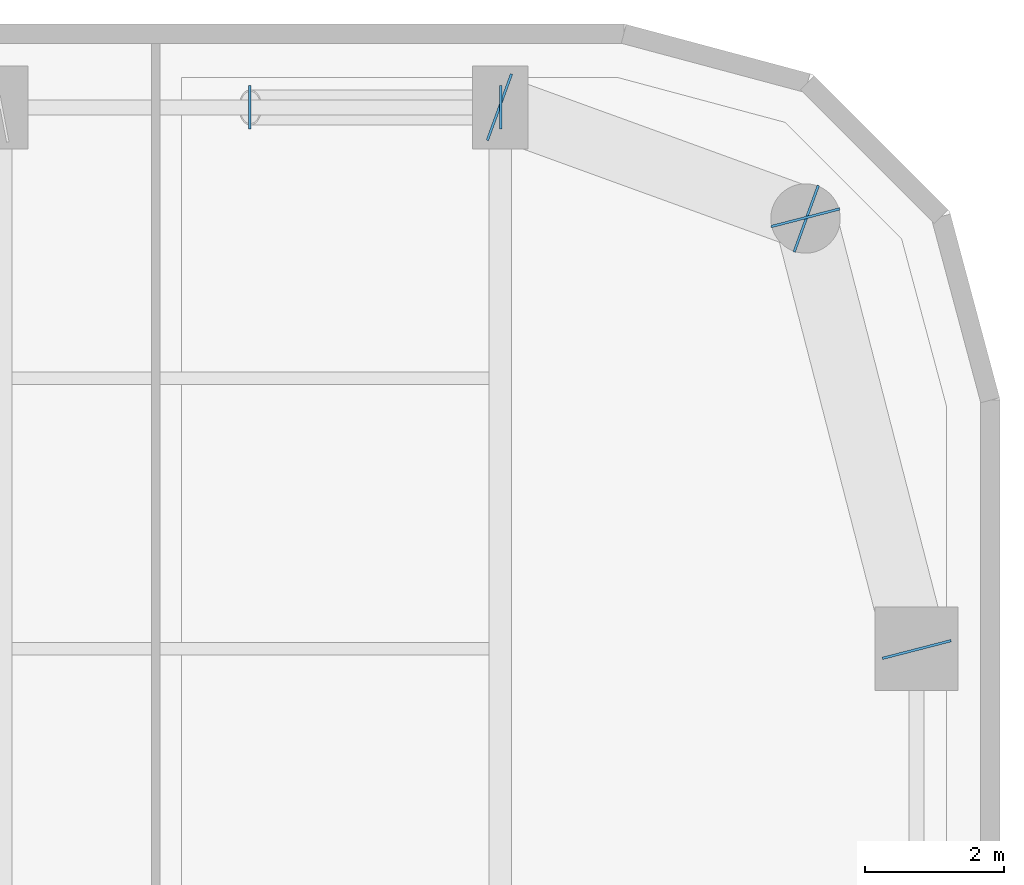
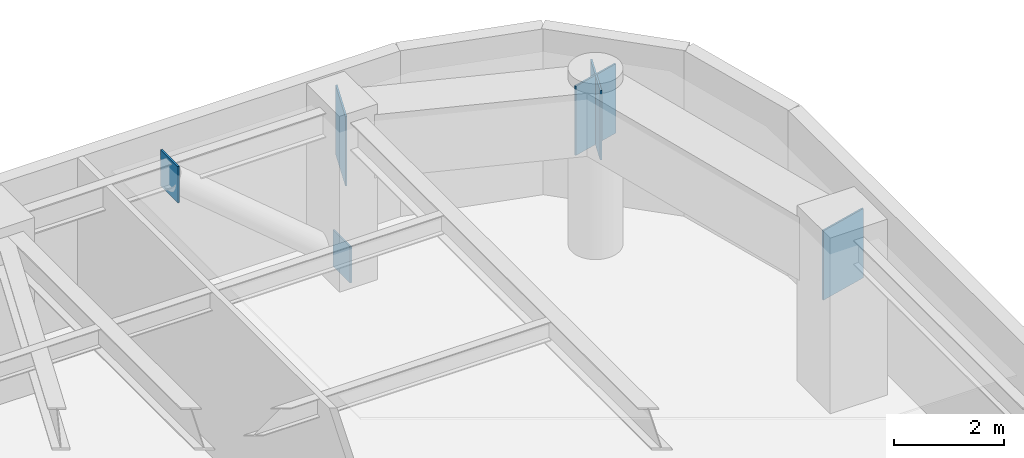
# One storey, part 23 of 30: 6 plates.
"""IFC4 building model written with IfcOpenShell, lengths in metres."""

from ifc_helpers import new_model, si_unit, direction, frame, origin, origin_2d, place, context, subcontext, project, spatial, rectangle, extrude, material, layer, layer_set, type_object, element, save


model = new_model("IFC4")

# Units and contexts
model_context = context("Model", 3, precision=1e-05, world=origin(), true_north=direction((0.0, 1.0)))
body_context = subcontext(model_context, "Body", "Model", "MODEL_VIEW")
ifc_project = project(units=[si_unit("LENGTHUNIT", "METRE"), si_unit("AREAUNIT", "SQUARE_METRE"), si_unit("VOLUMEUNIT", "CUBIC_METRE"), si_unit("PLANEANGLEUNIT", "RADIAN"), si_unit("MASSUNIT", "GRAM", prefix="KILO")], contexts=[model_context])

# Site, building, storey
site_placement = place(None, origin())
site = spatial("IfcSite", under=ifc_project, at=site_placement, CompositionType="ELEMENT")
building_placement = place(site_placement, origin())
building = spatial("IfcBuilding", under=site, at=building_placement, Name="Kiyonajd Concourse Tower", CompositionType="ELEMENT")
storey_placement = place(building_placement, frame((0.0, 0.0, 174.0)))
storey = spatial("IfcBuildingStorey", under=building, at=storey_placement, Name="L44", CompositionType="ELEMENT", Elevation=174.0)

# Plates
ifc_material = material(Name="Steel ASTM A572 Grade 50", Category="steel")
ifc_layer_1 = layer(ifc_material, 0.028076171875)
ifc_layer_set_1 = layer_set([ifc_layer_1], Name="Steel ASTM A572 Grade 50")
plate_type_1 = type_object("IfcPlateType", Name="PL-CAP-450", PredefinedType="USERDEFINED", material=ifc_layer_set_1)
for number, where, z_axis, x_axis, name in (
    (1, (63.6083984375, 61.199951171875, -0.10888671875), (0.0, 0.0, 1.0), (1.0, 0.0, 0.0), "L44 Hollow Brace End Cap Plate PBN"),
    (2, (59.99169921875, 61.199951171875, 2.93505859375), (0.0, 0.0, 1.0), (-1.0, 0.0, 0.0), "L44 Hollow Brace Top Cap Plate PBN"),
):
    element("IfcPlate", number, at=place(storey_placement, frame(where, z_axis=z_axis, x_axis=x_axis)), inside=storey, type_object=plate_type_1, Name=name, ObjectType="CAP PLATE", PredefinedType="USERDEFINED", context=body_context, shape_type="SweptSolid", body=[
        extrude(rectangle(XDim=0.035888671875, YDim=0.6279296875, at=origin_2d()), origin(), (0.0, 0.0, 1.0), 0.803955078125),
    ])
ifc_layer_2 = layer(ifc_material, 0.031982421875)
ifc_layer_set_2 = layer_set([ifc_layer_2], Name="Steel ASTM A572 Grade 50")
plate_type_2 = type_object("IfcPlateType", Name="PL-CAP-540", PredefinedType="USERDEFINED", material=ifc_layer_set_2)
for number, where, z_axis, x_axis, name in (
    (3, (69.602783203125, 53.389404296875, 2.2099609375), (0.0, 0.0, 1.0), (0.249873048837, -0.968278606324, 0.0), "L44 Welded Box Girder End Cap"),
    (4, (67.997314453125, 59.610595703125, 2.2099609375), (0.0, 0.0, 1.0), (-0.249873048837, 0.968278606324, 0.0), "L44 Welded Box Girder End Cap"),
    (5, (68.01025390625, 59.59619140625, 2.2099609375), (0.0, 0.0, 1.0), (0.939811951086, -0.341692107891, 0.0), "L44 Welded Box Girder End Cap"),
    (6, (63.589599609375, 61.203857421875, 2.2099609375), (0.0, 0.0, 1.0), (-0.939811951086, 0.341692107891, 0.0), "L44 Welded Box Girder End Cap"),
):
    element("IfcPlate", number, at=place(storey_placement, frame(where, z_axis=z_axis, x_axis=x_axis)), inside=storey, type_object=plate_type_2, Name=name, ObjectType="CAP PLATE", PredefinedType="USERDEFINED", context=body_context, shape_type="SweptSolid", body=[
        extrude(rectangle(XDim=0.035888671875, YDim=1.02001953125, at=origin_2d()), origin(), (0.0, 0.0, 1.0), 1.5400390625),
    ])

save(model, "model.ifc")
